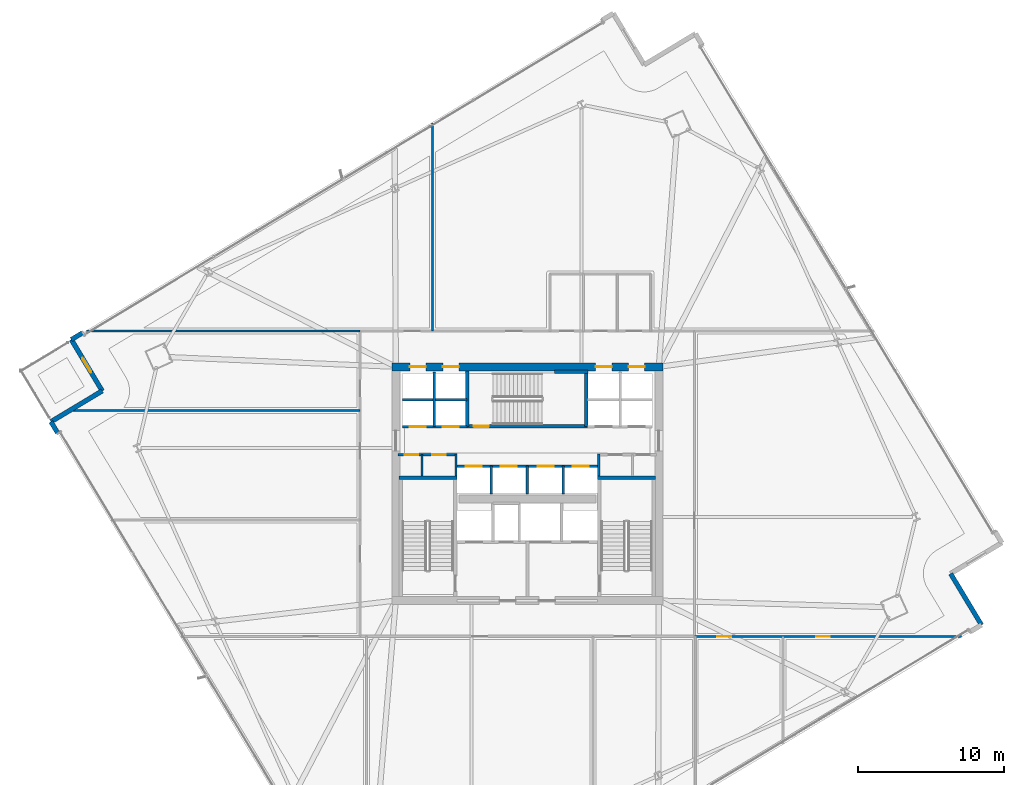
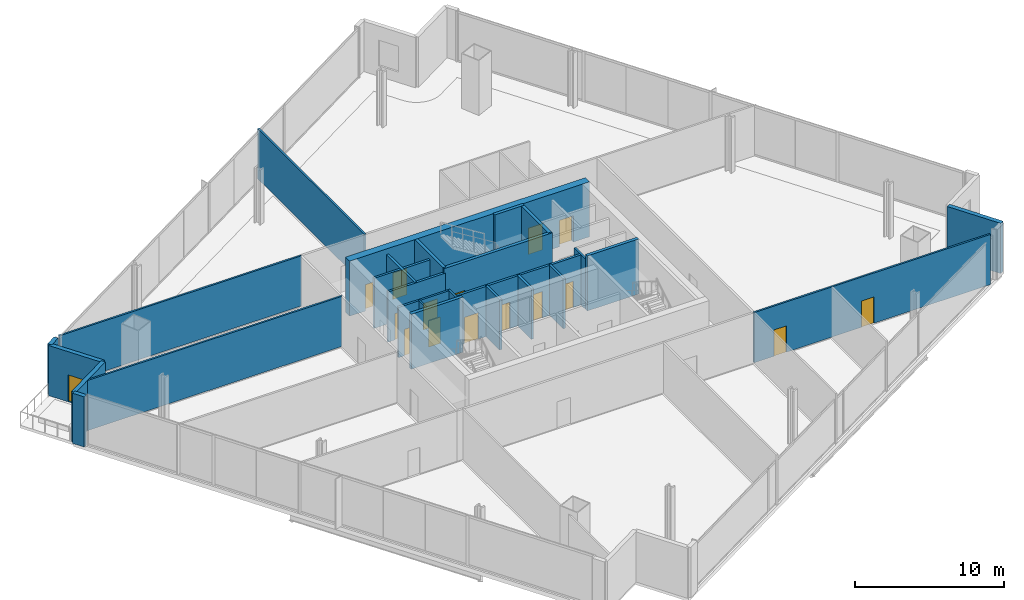
# One storey, part 24 of 30: 27 walls, 16 doors, 16 openings.
"""IFC4 building model written with IfcOpenShell, lengths in metres."""

import ifcopenshell
import ifcopenshell.guid

model = None  # the IFC model being written
_history = None  # IfcOwnerHistory: only IFC2X3 demands one
_inside = {}  # id of a spatial element -> (the spatial element, [elements in it])
_under = {}  # id of a project, library or spatial element -> (it, [spatial elements below it])
_declared = {}  # id of a project -> (the project, [libraries it declares])
_typed = {}  # id of a type object -> (the type object, [elements of that type])
_made_of = {}  # id of a material, layer set ... -> (it, [elements and type objects made of it])


def new_model(schema):
    """Start an empty IFC model of exactly this schema.

    Asked for "IFC4X3", IfcOpenShell would pick the latest addendum, in which some entities
    have other attributes; the version numbers below select the first issue.
    IFC2X3 requires an IfcOwnerHistory on every rooted entity: one is made here for all.
    """
    global model, _history
    if schema == "IFC4X3":
        model = ifcopenshell.file(schema_version=(4, 3, 0, 0))
    else:
        model = ifcopenshell.file(schema=schema)
    _inside.clear()
    _under.clear()
    _declared.clear()
    _typed.clear()
    _made_of.clear()
    _history = None
    if model.schema == "IFC2X3":
        org = make("IfcOrganization", Name="unknown")
        user = make(
            "IfcPersonAndOrganization",
            ThePerson=make("IfcPerson", FamilyName="unknown"),
            TheOrganization=org,
        )
        app = make(
            "IfcApplication",
            ApplicationDeveloper=org,
            Version="unknown",
            ApplicationFullName="unknown",
            ApplicationIdentifier="unknown",
        )
        _history = make(
            "IfcOwnerHistory",
            OwningUser=user,
            OwningApplication=app,
            ChangeAction="ADDED",
            CreationDate=0,
        )
    return model


def make(cls, **values):
    """One entity of the class cls with the attributes given. An attribute that is None is left unset."""
    return model.create_entity(
        cls, **{name: value for name, value in values.items() if value is not None}
    )


def rooted(cls, **values):
    """An entity with a GlobalId (a new one), such as an element, a storey or a relation."""
    return make(cls, GlobalId=ifcopenshell.guid.new(), OwnerHistory=_history, **values)


def si_unit(unit_type, name, prefix=None):
    """IfcSIUnit, for example si_unit("LENGTHUNIT", "METRE", prefix="MILLI")."""
    return make("IfcSIUnit", UnitType=unit_type, Prefix=prefix, Name=name)


def assignment(units):
    """IfcUnitAssignment: the units of a project."""
    return None if units is None else make("IfcUnitAssignment", Units=units)


def point(xyz):
    """IfcCartesianPoint."""
    return None if xyz is None else make("IfcCartesianPoint", Coordinates=xyz)


def direction(xyz):
    """IfcDirection."""
    return None if xyz is None else make("IfcDirection", DirectionRatios=xyz)


def frame(location, z_axis=None, x_axis=None):
    """IfcAxis2Placement3D, a coordinate frame: its origin and axes. An axis left out is left unset."""
    return make(
        "IfcAxis2Placement3D",
        Location=point(location),
        Axis=direction(z_axis),
        RefDirection=direction(x_axis),
    )


def frame_2d(location, x_axis=None):
    """IfcAxis2Placement2D, a coordinate frame in the plane: its origin and x axis."""
    return make(
        "IfcAxis2Placement2D", Location=point(location), RefDirection=direction(x_axis)
    )


def origin():
    """The frame at (0, 0, 0) with its axes left unset."""
    return frame((0.0, 0.0, 0.0))


def place(relative_to, where):
    """IfcLocalPlacement: puts the frame where relative to a parent placement (None: the world)."""
    return make(
        "IfcLocalPlacement", PlacementRelTo=relative_to, RelativePlacement=where
    )


def context(
    kind, dimensions, precision=None, world=None, true_north=None, identifier=None
):
    """IfcGeometricRepresentationContext, for example the 3D "Model" context."""
    return make(
        "IfcGeometricRepresentationContext",
        ContextIdentifier=identifier,
        ContextType=kind,
        CoordinateSpaceDimension=dimensions,
        Precision=precision,
        WorldCoordinateSystem=world,
        TrueNorth=true_north,
    )


def subcontext(parent, identifier, kind, view, scale=None):
    """IfcGeometricRepresentationSubContext, for example "Body" below "Model"."""
    return make(
        "IfcGeometricRepresentationSubContext",
        ContextIdentifier=identifier,
        ContextType=kind,
        ParentContext=parent,
        TargetScale=scale,
        TargetView=view,
    )


def project(units=None, contexts=None):
    """IfcProject with its units and contexts."""
    return rooted(
        "IfcProject",
        Name="project",
        RepresentationContexts=contexts,
        UnitsInContext=assignment(units),
    )


def spatial(cls, under=None, at=None, **own):
    """A site, building, storey or space (cls), placed at a placement, below another one or the project."""
    s = rooted(cls, ObjectPlacement=at, **own)
    if under is not None:
        _under.setdefault(under.id(), (under, []))[1].append(s)
    return s


def profile(cls, at=None, kind="AREA", **sizes):
    """A parametric profile (cls). Its sizes go by their IFC names, for example OverallWidth=200.0."""
    return make(cls, ProfileType=kind, Position=at, **sizes)


def rectangle(**sizes):
    """IfcRectangleProfileDef."""
    return profile("IfcRectangleProfileDef", **sizes)


def extrude(swept, where, along, depth):
    """IfcExtrudedAreaSolid: the profile swept, set in the frame where, extruded along a direction by depth."""
    return make(
        "IfcExtrudedAreaSolid",
        SweptArea=swept,
        Position=where,
        ExtrudedDirection=direction(along),
        Depth=depth,
    )


def shape(context_of_items, identifier, shape_type, items):
    """IfcShapeRepresentation: the items that make up one representation, for example the "Body"."""
    return make(
        "IfcShapeRepresentation",
        ContextOfItems=context_of_items,
        RepresentationIdentifier=identifier,
        RepresentationType=shape_type,
        Items=items,
    )


def material(Name=None, Category=None):
    """IfcMaterial."""
    return make("IfcMaterial", Name=Name, Category=Category)


def layer(
    of_material, thickness, ventilated=None, Name=None, Category=None, Priority=None
):
    """IfcMaterialLayer: one layer of a wall or slab, of a material (None: an air gap)."""
    return make(
        "IfcMaterialLayer",
        Material=of_material,
        LayerThickness=thickness,
        IsVentilated=ventilated,
        Name=Name,
        Category=Category,
        Priority=Priority,
    )


def layer_set(layers, Name=None):
    """IfcMaterialLayerSet."""
    return make("IfcMaterialLayerSet", MaterialLayers=layers, LayerSetName=Name)


def made_of(thing, what):
    """Note that an element or type object is made of a material, layer set ...; save() writes the relation."""
    if what is not None:
        _made_of.setdefault(what.id(), (what, []))[1].append(thing)
    return thing


def type_object(cls, material=None, **own):
    """A type object (cls), such as IfcWallType, which elements share."""
    return made_of(rooted(cls, **own), material)


def element(
    cls,
    number,
    at=None,
    inside=None,
    cuts=None,
    type_object=None,
    material=None,
    context=None,
    identifier="Body",
    shape_type=None,
    held_by="IfcProductDefinitionShape",
    body=None,
    shapes=None,
    **own,
):
    """One element of the class cls, such as IfcWall. Its Tag is "e" and its number.

    at: its placement. inside: the storey or other place that contains it. cuts: it is an
    opening in that element (IfcRelVoidsElement). A single representation is given by context,
    identifier, shape_type and body (its items); several are given by shapes. held_by: the class
    of the entity that holds the representations. save() writes the other relations.
    """
    e = rooted(cls, Tag="e%d" % number, ObjectPlacement=at, **own)
    if body is not None:
        shapes = [shape(context, identifier, shape_type, body)]
    if shapes is not None:
        e.Representation = make(held_by, Representations=shapes)
    if inside is not None:
        _inside.setdefault(inside.id(), (inside, []))[1].append(e)
    if cuts is not None:
        rooted(
            "IfcRelVoidsElement", RelatingBuildingElement=cuts, RelatedOpeningElement=e
        )
    if type_object is not None:
        _typed.setdefault(type_object.id(), (type_object, []))[1].append(e)
    return made_of(e, material)


def fill(opening, filler):
    """IfcRelFillsElement: the door or window that sits in an opening."""
    return rooted(
        "IfcRelFillsElement",
        RelatingOpeningElement=opening,
        RelatedBuildingElement=filler,
    )


def aggregate(whole, parts):
    """IfcRelAggregates: a whole, such as a stair, and the parts it consists of."""
    return rooted("IfcRelAggregates", RelatingObject=whole, RelatedObjects=parts)


def save(model, path):
    """Write the relations noted so far, then the file.

    IfcRelAggregates (storeys below a building ...), IfcRelContainedInSpatialStructure (elements
    in a storey), IfcRelDefinesByType, IfcRelAssociatesMaterial and IfcRelDeclares: one each for
    every whole, place, type object, material and project.
    """
    for whole, parts in _under.values():
        aggregate(whole, parts)
    for where, things in _inside.values():
        rooted(
            "IfcRelContainedInSpatialStructure",
            RelatedElements=things,
            RelatingStructure=where,
        )
    for kind, things in _typed.values():
        rooted("IfcRelDefinesByType", RelatedObjects=things, RelatingType=kind)
    for what, things in _made_of.values():
        rooted("IfcRelAssociatesMaterial", RelatedObjects=things, RelatingMaterial=what)
    for by, libraries in _declared.values():
        rooted("IfcRelDeclares", RelatingContext=by, RelatedDefinitions=libraries)
    model.write(path)


model = new_model("IFC4")

# Units and contexts
model_context = context("Model", 3, precision=1e-05, world=origin(), true_north=direction((0.0, 1.0)))
body_context = subcontext(model_context, "Body", "Model", "MODEL_VIEW")
ifc_project = project(units=[si_unit("LENGTHUNIT", "METRE"), si_unit("AREAUNIT", "SQUARE_METRE"), si_unit("VOLUMEUNIT", "CUBIC_METRE"), si_unit("PLANEANGLEUNIT", "RADIAN"), si_unit("MASSUNIT", "GRAM", prefix="KILO")], contexts=[model_context])

# Site, building, storey
site_placement = place(None, origin())
site = spatial("IfcSite", under=ifc_project, at=site_placement, CompositionType="ELEMENT")
building_placement = place(site_placement, origin())
building = spatial("IfcBuilding", under=site, at=building_placement, Name="Haldenkirk Collegiate Tower", CompositionType="ELEMENT")
storey_placement = place(building_placement, frame((0.0, 0.0, 131.699951171875)))
storey = spatial("IfcBuildingStorey", under=building, at=storey_placement, Name="L32", CompositionType="ELEMENT", Elevation=131.699951171875)

# Wall, openings, doors
ifc_material_1 = material(Name="Concrete f'c 70 MPa", Category="concrete")
ifc_layer_1 = layer(ifc_material_1, 0.550048828125)
ifc_layer_set_1 = layer_set([ifc_layer_1], Name="Concrete f'c 70 MPa")
wall_type_1 = type_object("IfcWallType", Name="WL-CORE-550", PredefinedType="SHEAR", material=ifc_layer_set_1)
wall_1_placement = place(storey_placement, frame((26.72509765625, 34.0, 0.0), z_axis=(0.0, 0.0, 1.0), x_axis=(1.0, 0.0, 0.0)))
wall_1 = element("IfcWall", 1, at=wall_1_placement, inside=storey, type_object=wall_type_1, Name="L32 central core shear wall N", PredefinedType="SHEAR", context=body_context, shape_type="SweptSolid", body=[
    extrude(rectangle(XDim=18.5498046875, YDim=0.550048828125, at=frame_2d((9.27490234375, 0.0))), origin(), (0.0, 0.0, 1.0), 4.5),
])
opening_1_placement = place(wall_1_placement, frame((1.239990234375, 0.0, 0.0)))
opening_1 = element("IfcOpeningElement", 2, at=opening_1_placement, cuts=wall_1, Name="Opening LD-11", PredefinedType="OPENING", context=body_context, shape_type="SweptSolid", body=[
    extrude(rectangle(XDim=1.10009765625, YDim=2.14990234375, at=frame_2d((0.550048828125, 1.074951171875))), frame((0.0, 0.284912109375, 0.0), z_axis=(0.0, -1.0, 0.0), x_axis=(1.0, 0.0, 0.0)), (0.0, 0.0, 1.0), 0.570068359375),
])
opening_2_placement = place(wall_1_placement, frame((3.489990234375, 0.0, 0.0)))
opening_2 = element("IfcOpeningElement", 3, at=opening_2_placement, cuts=wall_1, Name="Opening LD-11", PredefinedType="OPENING", context=body_context, shape_type="SweptSolid", body=[
    extrude(rectangle(XDim=1.10009765625, YDim=2.14990234375, at=frame_2d((0.550048828125, 1.074951171875))), frame((0.0, 0.284912109375, 0.0), z_axis=(0.0, -1.0, 0.0), x_axis=(1.0, 0.0, 0.0)), (0.0, 0.0, 1.0), 0.570068359375),
])
opening_3_placement = place(wall_1_placement, frame((13.9599609375, 0.0, 0.0)))
opening_3 = element("IfcOpeningElement", 4, at=opening_3_placement, cuts=wall_1, Name="Opening LD-11", PredefinedType="OPENING", context=body_context, shape_type="SweptSolid", body=[
    extrude(rectangle(XDim=1.10009765625, YDim=2.14990234375, at=frame_2d((0.550048828125, 1.074951171875))), frame((0.0, 0.284912109375, 0.0), z_axis=(0.0, -1.0, 0.0), x_axis=(1.0, 0.0, 0.0)), (0.0, 0.0, 1.0), 0.570068359375),
])
opening_4_placement = place(wall_1_placement, frame((16.2099609375, 0.0, 0.0)))
opening_4 = element("IfcOpeningElement", 5, at=opening_4_placement, cuts=wall_1, Name="Opening LD-11", PredefinedType="OPENING", context=body_context, shape_type="SweptSolid", body=[
    extrude(rectangle(XDim=1.10009765625, YDim=2.14990234375, at=frame_2d((0.550048828125, 1.074951171875))), frame((0.0, 0.284912109375, 0.0), z_axis=(0.0, -1.0, 0.0), x_axis=(1.0, 0.0, 0.0)), (0.0, 0.0, 1.0), 0.570068359375),
])
ifc_material_2 = material(Name="Brushed architectural stainless steel", Category="steel")
ifc_layer_2 = layer(ifc_material_2, 0.06005859375)
ifc_layer_set_2 = layer_set([ifc_layer_2], Name="Brushed architectural stainless steel")
door_type_1 = type_object("IfcDoorType", Name="LD-PASS-1100", OperationType="NOTDEFINED", PredefinedType="DOOR", material=ifc_layer_set_2)
door_1_placement = place(opening_1_placement, origin())
door_1 = element("IfcDoor", 6, at=door_1_placement, inside=storey, type_object=door_type_1, Name="L32 Elevator PL3 sliding landing door", OperationType="SLIDING_TO_LEFT", OverallHeight=2.14990234375, OverallWidth=1.10009765625, PredefinedType="DOOR", context=body_context, shape_type="SweptSolid", body=[
    extrude(rectangle(XDim=1.10009765625, YDim=2.14990234375, at=frame_2d((0.550048828125, 1.074951171875))), frame((0.0, 0.02490234375, 0.0), z_axis=(0.0, -1.0, 0.0), x_axis=(1.0, 0.0, 0.0)), (0.0, 0.0, 1.0), 0.050048828125),
])
fill(opening_1, door_1)
door_2_placement = place(opening_2_placement, origin())
door_2 = element("IfcDoor", 7, at=door_2_placement, inside=storey, type_object=door_type_1, Name="L32 Elevator PL4 sliding landing door", OperationType="SLIDING_TO_LEFT", OverallHeight=2.14990234375, OverallWidth=1.10009765625, PredefinedType="DOOR", context=body_context, shape_type="SweptSolid", body=[
    extrude(rectangle(XDim=1.10009765625, YDim=2.14990234375, at=frame_2d((0.550048828125, 1.074951171875))), frame((0.0, 0.02490234375, 0.0), z_axis=(0.0, -1.0, 0.0), x_axis=(1.0, 0.0, 0.0)), (0.0, 0.0, 1.0), 0.050048828125),
])
fill(opening_2, door_2)
door_3_placement = place(opening_3_placement, origin())
door_3 = element("IfcDoor", 8, at=door_3_placement, inside=storey, type_object=door_type_1, Name="L32 Elevator PM3 sliding landing door", OperationType="SLIDING_TO_LEFT", OverallHeight=2.14990234375, OverallWidth=1.10009765625, PredefinedType="DOOR", context=body_context, shape_type="SweptSolid", body=[
    extrude(rectangle(XDim=1.10009765625, YDim=2.14990234375, at=frame_2d((0.550048828125, 1.074951171875))), frame((0.0, 0.02490234375, 0.0), z_axis=(0.0, -1.0, 0.0), x_axis=(1.0, 0.0, 0.0)), (0.0, 0.0, 1.0), 0.050048828125),
])
fill(opening_3, door_3)
door_4_placement = place(opening_4_placement, origin())
door_4 = element("IfcDoor", 9, at=door_4_placement, inside=storey, type_object=door_type_1, Name="L32 Elevator PM4 sliding landing door", OperationType="SLIDING_TO_LEFT", OverallHeight=2.14990234375, OverallWidth=1.10009765625, PredefinedType="DOOR", context=body_context, shape_type="SweptSolid", body=[
    extrude(rectangle(XDim=1.10009765625, YDim=2.14990234375, at=frame_2d((0.550048828125, 1.074951171875))), frame((0.0, 0.02490234375, 0.0), z_axis=(0.0, -1.0, 0.0), x_axis=(1.0, 0.0, 0.0)), (0.0, 0.0, 1.0), 0.050048828125),
])
fill(opening_4, door_4)

# Walls
ifc_material_3 = material(Name="Precast concrete f'c 40 MPa", Category="concrete")
ifc_layer_3 = layer(ifc_material_3, 0.320068359375)
ifc_layer_set_3 = layer_set([ifc_layer_3], Name="Precast concrete f'c 40 MPa")
wall_type_2 = type_object("IfcWallType", Name="WL-EXT-TWR-320", PredefinedType="STANDARD", material=ifc_layer_set_3)
wall_2_placement = place(storey_placement, frame((64.979736328125, 19.839599609375, 0.0), z_axis=(0.0, 0.0, 1.0), x_axis=(0.515799949359, -0.856709059274, 0.0)))
element("IfcWall", 10, at=wall_2_placement, inside=storey, type_object=wall_type_2, Name="L32 bronze precast notch wall 02", PredefinedType="STANDARD", context=body_context, shape_type="SweptSolid", body=[
    extrude(rectangle(XDim=4.099853515625, YDim=0.320068359375, at=frame_2d((2.0498046875, 0.0))), origin(), (0.0, 0.0, 1.0), 4.10009765625),
])
wall_3_placement = place(storey_placement, frame((4.78955078125, 35.86572265625, 0.0), z_axis=(0.0, 0.0, 1.0), x_axis=(0.856749961863, 0.515732006809, 0.0)))
element("IfcWall", 11, at=wall_3_placement, inside=storey, type_object=wall_type_2, Name="L32 precast corner pier NL", PredefinedType="STANDARD", context=body_context, shape_type="SweptSolid", body=[
    extrude(rectangle(XDim=0.89990234375, YDim=0.320068359375, at=frame_2d((0.449951171875, 0.0))), origin(), (0.0, 0.0, 1.0), 4.10009765625),
])

# Wall, opening, door
wall_4_placement = place(storey_placement, frame((6.904296875, 32.35302734375, 0.0), z_axis=(0.0, 0.0, 1.0), x_axis=(-0.515773637009, 0.856724900634, 0.0)))
wall_4 = element("IfcWall", 12, at=wall_4_placement, inside=storey, type_object=wall_type_2, Name="L32 bronze precast notch wall 08", PredefinedType="STANDARD", context=body_context, shape_type="SweptSolid", body=[
    extrude(rectangle(XDim=4.10009765625, YDim=0.320068359375, at=frame_2d((2.050048828125, 0.0))), origin(), (0.0, 0.0, 1.0), 4.10009765625),
])
opening_5_placement = place(wall_4_placement, frame((1.47509765625, 0.0, 0.0)))
opening_5 = element("IfcOpeningElement", 13, at=opening_5_placement, cuts=wall_4, Name="Opening D-ST11", PredefinedType="OPENING", context=body_context, shape_type="SweptSolid", body=[
    extrude(rectangle(XDim=1.14990234375, YDim=2.199951171875, at=frame_2d((0.574951171875, 1.10009765625))), frame((0.0, 0.169921875, 0.0), z_axis=(0.0, -1.0, 0.0), x_axis=(1.0, 0.0, 0.0)), (0.0, 0.0, 1.0), 0.340087890625),
])
ifc_material_4 = material(Name="Anodised architectural bronze aluminium", Category="aluminium")
ifc_layer_4 = layer(ifc_material_4, 0.080078125)
ifc_layer_set_4 = layer_set([ifc_layer_4], Name="Anodised architectural bronze aluminium")
door_type_2 = type_object("IfcDoorType", Name="DR-EXT-STER-1150", OperationType="NOTDEFINED", PredefinedType="DOOR", material=ifc_layer_set_4)
door_5_placement = place(opening_5_placement, origin())
door_5 = element("IfcDoor", 14, at=door_5_placement, inside=storey, type_object=door_type_2, Name="L32 spiralling terrace door", OperationType="SINGLE_SWING_LEFT", OverallHeight=2.199951171875, OverallWidth=1.14990234375, PredefinedType="DOOR", context=body_context, shape_type="SweptSolid", body=[
    extrude(rectangle(XDim=1.14990234375, YDim=2.199951171875, at=frame_2d((0.574951171875, 1.10009765625))), frame((0.0, 0.02490234375, 0.0), z_axis=(0.0, -1.0, 0.0), x_axis=(1.0, 0.0, 0.0)), (0.0, 0.0, 1.0), 0.050048828125),
])
fill(opening_5, door_5)

# Walls
wall_5_placement = place(storey_placement, frame((3.3916015625, 30.23828125, 0.0), z_axis=(0.0, 0.0, 1.0), x_axis=(0.856724900634, 0.515773637009, 0.0)))
element("IfcWall", 15, at=wall_5_placement, inside=storey, type_object=wall_type_2, Name="L32 bronze precast notch wall 09", PredefinedType="STANDARD", context=body_context, shape_type="SweptSolid", body=[
    extrude(rectangle(XDim=4.10009765625, YDim=0.320068359375, at=frame_2d((2.050048828125, 0.0))), origin(), (0.0, 0.0, 1.0), 4.10009765625),
])
wall_6_placement = place(storey_placement, frame((3.85595703125, 29.46728515625, 0.0), z_axis=(0.0, 0.0, 1.0), x_axis=(-0.51593110119, 0.856630082839, 0.0)))
element("IfcWall", 16, at=wall_6_placement, inside=storey, type_object=wall_type_2, Name="L32 precast corner pier WR", PredefinedType="STANDARD", context=body_context, shape_type="SweptSolid", body=[
    extrude(rectangle(XDim=0.900146484375, YDim=0.320068359375, at=frame_2d((0.4501953125, 0.0))), origin(), (0.0, 0.0, 1.0), 4.10009765625),
])

# Wall, openings, doors
ifc_material_5 = material(Name="Acoustic fire-rated gypsum partition", Category="concrete")
ifc_layer_5 = layer(ifc_material_5, 0.159912109375)
ifc_layer_set_5 = layer_set([ifc_layer_5], Name="Acoustic fire-rated gypsum partition")
wall_type_3 = type_object("IfcWallType", Name="WL-INT-CORR-160", PredefinedType="PARTITIONING", material=ifc_layer_set_5)
wall_7_placement = place(storey_placement, frame((27.14990234375, 27.97998046875, 0.0), z_axis=(0.0, 0.0, 1.0), x_axis=(1.0, 0.0, 0.0)))
wall_7 = element("IfcWall", 17, at=wall_7_placement, inside=storey, type_object=wall_type_3, Name="L32 interior partition IW-L32-VCSW-N", PredefinedType="PARTITIONING", context=body_context, shape_type="SweptSolid", body=[
    extrude(rectangle(XDim=4.050048828125, YDim=0.159912109375, at=frame_2d((2.02490234375, 0.0))), origin(), (0.0, 0.0, 1.0), 4.10009765625),
])
opening_6_placement = place(wall_7_placement, frame((0.469970703125, 0.0, 0.0)))
opening_6 = element("IfcOpeningElement", 18, at=opening_6_placement, cuts=wall_7, Name="Opening D-11", PredefinedType="OPENING", context=body_context, shape_type="SweptSolid", body=[
    extrude(rectangle(XDim=0.89990234375, YDim=2.14990234375, at=frame_2d((0.449951171875, 1.074951171875))), frame((0.0, 0.08984375, 0.0), z_axis=(0.0, -1.0, 0.0), x_axis=(1.0, 0.0, 0.0)), (0.0, 0.0, 1.0), 0.179931640625),
])
opening_7_placement = place(wall_7_placement, frame((2.360107421875, 0.0, 0.0)))
opening_7 = element("IfcOpeningElement", 19, at=opening_7_placement, cuts=wall_7, Name="Opening D-11", PredefinedType="OPENING", context=body_context, shape_type="SweptSolid", body=[
    extrude(rectangle(XDim=0.89990234375, YDim=2.14990234375, at=frame_2d((0.449951171875, 1.074951171875))), frame((0.0, 0.08984375, 0.0), z_axis=(0.0, -1.0, 0.0), x_axis=(1.0, 0.0, 0.0)), (0.0, 0.0, 1.0), 0.179931640625),
])
ifc_material_6 = material(Name="Solid-core architectural oak fire door", Category="wood")
ifc_layer_6 = layer(ifc_material_6, 0.06005859375)
ifc_layer_set_6 = layer_set([ifc_layer_6], Name="Solid-core architectural oak fire door")
door_type_3 = type_object("IfcDoorType", Name="DR-INT-FD60-900", OperationType="NOTDEFINED", PredefinedType="DOOR", material=ifc_layer_set_6)
door_6_placement = place(opening_6_placement, origin())
door_6 = element("IfcDoor", 20, at=door_6_placement, inside=storey, type_object=door_type_3, Name="L32 core AV closet door", OperationType="SINGLE_SWING_RIGHT", OverallHeight=2.14990234375, OverallWidth=0.89990234375, PredefinedType="DOOR", context=body_context, shape_type="SweptSolid", body=[
    extrude(rectangle(XDim=0.89990234375, YDim=2.14990234375, at=frame_2d((0.449951171875, 1.074951171875))), frame((0.0, 0.02490234375, 0.0), z_axis=(0.0, -1.0, 0.0), x_axis=(1.0, 0.0, 0.0)), (0.0, 0.0, 1.0), 0.050048828125),
])
fill(opening_6, door_6)
door_7_placement = place(opening_7_placement, origin())
door_7 = element("IfcDoor", 21, at=door_7_placement, inside=storey, type_object=door_type_3, Name="L32 core supply closet door", OperationType="SINGLE_SWING_LEFT", OverallHeight=2.14990234375, OverallWidth=0.89990234375, PredefinedType="DOOR", context=body_context, shape_type="SweptSolid", body=[
    extrude(rectangle(XDim=0.89990234375, YDim=2.14990234375, at=frame_2d((0.449951171875, 1.074951171875))), frame((0.0, 0.02490234375, 0.0), z_axis=(0.0, -1.0, 0.0), x_axis=(1.0, 0.0, 0.0)), (0.0, 0.0, 1.0), 0.050048828125),
])
fill(opening_7, door_7)

# Walls
for number, where, z_axis, x_axis, name in (
    (22, (31.1201171875, 26.5400390625, 0.0), (0.0, 0.0, 1.0), (0.0, 1.0, 0.0), "L32 interior partition IW-L32-VCSW-E"),
    (23, (40.8798828125, 26.5400390625, 0.0), (0.0, 0.0, 1.0), (0.0, 1.0, 0.0), "L32 interior partition IW-L32-VCSE-W"),
):
    element("IfcWall", number, at=place(storey_placement, frame(where, z_axis=z_axis, x_axis=x_axis)), inside=storey, type_object=wall_type_3, Name=name, PredefinedType="PARTITIONING", context=body_context, shape_type="SweptSolid", body=[
        extrude(rectangle(XDim=1.510009765625, YDim=0.159912109375, at=frame_2d((0.7548828125, 0.0))), origin(), (0.0, 0.0, 1.0), 4.10009765625),
    ])
ifc_layer_7 = layer(ifc_material_5, 0.139892578125)
ifc_layer_set_7 = layer_set([ifc_layer_7], Name="Acoustic fire-rated gypsum partition")
wall_type_4 = type_object("IfcWallType", Name="WL-INT-DIV-140", PredefinedType="PARTITIONING", material=ifc_layer_set_7)
wall_8_placement = place(storey_placement, frame((5.837646484375, 36.449951171875, 0.0), z_axis=(0.0, 0.0, 1.0), x_axis=(1.0, 0.0, 0.0)))
element("IfcWall", 24, at=wall_8_placement, inside=storey, type_object=wall_type_4, Name="L32 interior partition IW-L32-BWN", PredefinedType="PARTITIONING", context=body_context, shape_type="SweptSolid", body=[
    extrude(rectangle(XDim=18.71240234375, YDim=0.139892578125, at=frame_2d((9.356201171875, 0.0))), origin(), (0.0, 0.0, 1.0), 4.10009765625),
])

# Wall, openings, doors
wall_9_placement = place(storey_placement, frame((47.449951171875, 15.550048828125, 0.0), z_axis=(0.0, 0.0, 1.0), x_axis=(1.0, 0.0, 0.0)))
wall_9 = element("IfcWall", 25, at=wall_9_placement, inside=storey, type_object=wall_type_4, Name="L32 interior partition IW-L32-BES", PredefinedType="PARTITIONING", context=body_context, shape_type="SweptSolid", body=[
    extrude(rectangle(XDim=18.276123046875, YDim=0.139892578125, at=frame_2d((9.13818359375, 0.0))), origin(), (0.0, 0.0, 1.0), 4.10009765625),
])
opening_8_placement = place(wall_9_placement, frame((1.5439453125, 0.0, 0.0)))
opening_8 = element("IfcOpeningElement", 26, at=opening_8_placement, cuts=wall_9, Name="Opening D-12", PredefinedType="OPENING", context=body_context, shape_type="SweptSolid", body=[
    extrude(rectangle(XDim=0.949951171875, YDim=2.14990234375, at=frame_2d((0.47509765625, 1.074951171875))), frame((0.0, 0.079833984375, 0.0), z_axis=(0.0, -1.0, 0.0), x_axis=(1.0, 0.0, 0.0)), (0.0, 0.0, 1.0), 0.159912109375),
])
opening_9_placement = place(wall_9_placement, frame((8.31591796875, 0.0, 0.0)))
opening_9 = element("IfcOpeningElement", 27, at=opening_9_placement, cuts=wall_9, Name="Opening D-12", PredefinedType="OPENING", context=body_context, shape_type="SweptSolid", body=[
    extrude(rectangle(XDim=0.949951171875, YDim=2.14990234375, at=frame_2d((0.47509765625, 1.074951171875))), frame((0.0, 0.079833984375, 0.0), z_axis=(0.0, -1.0, 0.0), x_axis=(1.0, 0.0, 0.0)), (0.0, 0.0, 1.0), 0.159912109375),
])
ifc_layer_8 = layer(ifc_material_6, 0.06005859375)
ifc_layer_set_8 = layer_set([ifc_layer_8], Name="Solid-core architectural oak fire door")
door_type_4 = type_object("IfcDoorType", Name="DR-INT-STD-950", OperationType="NOTDEFINED", PredefinedType="DOOR", material=ifc_layer_set_8)
door_8_placement = place(opening_8_placement, origin())
door_8 = element("IfcDoor", 28, at=door_8_placement, inside=storey, type_object=door_type_4, Name="L32 Graduate Seminar Room 4 door", OperationType="SINGLE_SWING_RIGHT", OverallHeight=2.14990234375, OverallWidth=0.949951171875, PredefinedType="DOOR", context=body_context, shape_type="SweptSolid", body=[
    extrude(rectangle(XDim=0.949951171875, YDim=2.14990234375, at=frame_2d((0.47509765625, 1.074951171875))), frame((0.0, 0.02490234375, 0.0), z_axis=(0.0, -1.0, 0.0), x_axis=(1.0, 0.0, 0.0)), (0.0, 0.0, 1.0), 0.050048828125),
])
fill(opening_8, door_8)
door_9_placement = place(opening_9_placement, origin())
door_9 = element("IfcDoor", 29, at=door_9_placement, inside=storey, type_object=door_type_4, Name="L32 Colloquium Conference Room 5 door", OperationType="SINGLE_SWING_LEFT", OverallHeight=2.14990234375, OverallWidth=0.949951171875, PredefinedType="DOOR", context=body_context, shape_type="SweptSolid", body=[
    extrude(rectangle(XDim=0.949951171875, YDim=2.14990234375, at=frame_2d((0.47509765625, 1.074951171875))), frame((0.0, 0.02490234375, 0.0), z_axis=(0.0, -1.0, 0.0), x_axis=(1.0, 0.0, 0.0)), (0.0, 0.0, 1.0), 0.050048828125),
])
fill(opening_9, door_9)

# Walls
wall_10_placement = place(storey_placement, frame((29.5, 36.449951171875, 0.0), z_axis=(0.0, 0.0, 1.0), x_axis=(0.0, 1.0, 0.0)))
element("IfcWall", 30, at=wall_10_placement, inside=storey, type_object=wall_type_4, Name="L32 interior partition IW-L32-RN1", PredefinedType="PARTITIONING", context=body_context, shape_type="SweptSolid", body=[
    extrude(rectangle(XDim=14.245849609375, YDim=0.139892578125, at=frame_2d((7.123046875, 0.0))), origin(), (0.0, 0.0, 1.0), 4.10009765625),
])
wall_11_placement = place(storey_placement, frame((4.734375, 31.0, 0.0), z_axis=(0.0, 0.0, 1.0), x_axis=(1.0, 0.0, 0.0)))
element("IfcWall", 31, at=wall_11_placement, inside=storey, type_object=wall_type_4, Name="L32 interior partition IW-L32-RW2", PredefinedType="PARTITIONING", context=body_context, shape_type="SweptSolid", body=[
    extrude(rectangle(XDim=19.815673828125, YDim=0.139892578125, at=frame_2d((9.90771484375, 0.0))), origin(), (0.0, 0.0, 1.0), 4.10009765625),
])

# Wall, openings, doors
ifc_material_7 = material(Name="Fire-rated gypsum shaftboard assembly", Category="concrete")
ifc_layer_9 = layer(ifc_material_7, 0.179931640625)
ifc_layer_set_9 = layer_set([ifc_layer_9], Name="Fire-rated gypsum shaftboard assembly")
wall_type_5 = type_object("IfcWallType", Name="WL-INT-SHAFT-180", PredefinedType="PARTITIONING", material=ifc_layer_set_9)
wall_12_placement = place(storey_placement, frame((27.449951171875, 29.89990234375, 0.0), z_axis=(0.0, 0.0, 1.0), x_axis=(1.0, 0.0, 0.0)))
wall_12 = element("IfcWall", 32, at=wall_12_placement, inside=storey, type_object=wall_type_5, Name="L32 interior partition IW-L32-PLS", PredefinedType="PARTITIONING", context=body_context, shape_type="SweptSolid", body=[
    extrude(rectangle(XDim=4.429931640625, YDim=0.179931640625, at=frame_2d((2.21484375, 0.0))), origin(), (0.0, 0.0, 1.0), 4.10009765625),
])
opening_10_placement = place(wall_12_placement, frame((0.514892578125, 0.0, 0.0)))
opening_10 = element("IfcOpeningElement", 33, at=opening_10_placement, cuts=wall_12, Name="Opening LD-11", PredefinedType="OPENING", context=body_context, shape_type="SweptSolid", body=[
    extrude(rectangle(XDim=1.10009765625, YDim=2.14990234375, at=frame_2d((0.550048828125, 1.074951171875))), frame((0.0, 0.099853515625, 0.0), z_axis=(0.0, -1.0, 0.0), x_axis=(1.0, 0.0, 0.0)), (0.0, 0.0, 1.0), 0.199951171875),
])
opening_11_placement = place(wall_12_placement, frame((2.764892578125, 0.0, 0.0)))
opening_11 = element("IfcOpeningElement", 34, at=opening_11_placement, cuts=wall_12, Name="Opening LD-11", PredefinedType="OPENING", context=body_context, shape_type="SweptSolid", body=[
    extrude(rectangle(XDim=1.10009765625, YDim=2.14990234375, at=frame_2d((0.550048828125, 1.074951171875))), frame((0.0, 0.099853515625, 0.0), z_axis=(0.0, -1.0, 0.0), x_axis=(1.0, 0.0, 0.0)), (0.0, 0.0, 1.0), 0.199951171875),
])
door_10_placement = place(opening_10_placement, origin())
door_10 = element("IfcDoor", 35, at=door_10_placement, inside=storey, type_object=door_type_1, Name="L32 Elevator PL1 sliding landing door", OperationType="SLIDING_TO_LEFT", OverallHeight=2.14990234375, OverallWidth=1.10009765625, PredefinedType="DOOR", context=body_context, shape_type="SweptSolid", body=[
    extrude(rectangle(XDim=1.10009765625, YDim=2.14990234375, at=frame_2d((0.550048828125, 1.074951171875))), frame((0.0, 0.02490234375, 0.0), z_axis=(0.0, -1.0, 0.0), x_axis=(1.0, 0.0, 0.0)), (0.0, 0.0, 1.0), 0.050048828125),
])
fill(opening_10, door_10)
door_11_placement = place(opening_11_placement, origin())
door_11 = element("IfcDoor", 36, at=door_11_placement, inside=storey, type_object=door_type_1, Name="L32 Elevator PL2 sliding landing door", OperationType="SLIDING_TO_LEFT", OverallHeight=2.14990234375, OverallWidth=1.10009765625, PredefinedType="DOOR", context=body_context, shape_type="SweptSolid", body=[
    extrude(rectangle(XDim=1.10009765625, YDim=2.14990234375, at=frame_2d((0.550048828125, 1.074951171875))), frame((0.0, 0.02490234375, 0.0), z_axis=(0.0, -1.0, 0.0), x_axis=(1.0, 0.0, 0.0)), (0.0, 0.0, 1.0), 0.050048828125),
])
fill(opening_11, door_11)

# Walls
wall_13_placement = place(storey_placement, frame((27.449951171875, 31.75, 0.0), z_axis=(0.0, 0.0, 1.0), x_axis=(1.0, 0.0, 0.0)))
element("IfcWall", 37, at=wall_13_placement, inside=storey, type_object=wall_type_5, Name="L32 interior partition IW-L32-PLM", PredefinedType="PARTITIONING", context=body_context, shape_type="SweptSolid", body=[
    extrude(rectangle(XDim=4.429931640625, YDim=0.179931640625, at=frame_2d((2.21484375, 0.0))), origin(), (0.0, 0.0, 1.0), 4.10009765625),
])
wall_14_placement = place(storey_placement, frame((29.6298828125, 29.89990234375, 0.0), z_axis=(0.0, 0.0, 1.0), x_axis=(0.0, 1.0, 0.0)))
element("IfcWall", 38, at=wall_14_placement, inside=storey, type_object=wall_type_5, Name="L32 interior partition IW-L32-PLV", PredefinedType="PARTITIONING", context=body_context, shape_type="SweptSolid", body=[
    extrude(rectangle(XDim=3.75, YDim=0.179931640625, at=frame_2d((1.875, 0.0))), origin(), (0.0, 0.0, 1.0), 4.10009765625),
])

# Wall, openings, doors
wall_15_placement = place(storey_placement, frame((31.199951171875, 27.199951171875, 0.0), z_axis=(0.0, 0.0, 1.0), x_axis=(1.0, 0.0, 0.0)))
wall_15 = element("IfcWall", 39, at=wall_15_placement, inside=storey, type_object=wall_type_5, Name="L32 interior partition IW-L32-PHN", PredefinedType="PARTITIONING", context=body_context, shape_type="SweptSolid", body=[
    extrude(rectangle(XDim=9.60009765625, YDim=0.179931640625, at=frame_2d((4.800048828125, 0.0))), origin(), (0.0, 0.0, 1.0), 4.10009765625),
])
opening_12_placement = place(wall_15_placement, frame((0.590087890625, 0.0, 0.0)))
opening_12 = element("IfcOpeningElement", 40, at=opening_12_placement, cuts=wall_15, Name="Opening LD-11", PredefinedType="OPENING", context=body_context, shape_type="SweptSolid", body=[
    extrude(rectangle(XDim=1.10009765625, YDim=2.14990234375, at=frame_2d((0.550048828125, 1.074951171875))), frame((0.0, 0.099853515625, 0.0), z_axis=(0.0, -1.0, 0.0), x_axis=(1.0, 0.0, 0.0)), (0.0, 0.0, 1.0), 0.199951171875),
])
opening_13_placement = place(wall_15_placement, frame((2.989990234375, 0.0, 0.0)))
opening_13 = element("IfcOpeningElement", 41, at=opening_13_placement, cuts=wall_15, Name="Opening LD-11", PredefinedType="OPENING", context=body_context, shape_type="SweptSolid", body=[
    extrude(rectangle(XDim=1.10009765625, YDim=2.14990234375, at=frame_2d((0.550048828125, 1.074951171875))), frame((0.0, 0.099853515625, 0.0), z_axis=(0.0, -1.0, 0.0), x_axis=(1.0, 0.0, 0.0)), (0.0, 0.0, 1.0), 0.199951171875),
])
opening_14_placement = place(wall_15_placement, frame((5.510009765625, 0.0, 0.0)))
opening_14 = element("IfcOpeningElement", 42, at=opening_14_placement, cuts=wall_15, Name="Opening LD-11", PredefinedType="OPENING", context=body_context, shape_type="SweptSolid", body=[
    extrude(rectangle(XDim=1.10009765625, YDim=2.14990234375, at=frame_2d((0.550048828125, 1.074951171875))), frame((0.0, 0.099853515625, 0.0), z_axis=(0.0, -1.0, 0.0), x_axis=(1.0, 0.0, 0.0)), (0.0, 0.0, 1.0), 0.199951171875),
])
opening_15_placement = place(wall_15_placement, frame((7.909912109375, 0.0, 0.0)))
opening_15 = element("IfcOpeningElement", 43, at=opening_15_placement, cuts=wall_15, Name="Opening LD-11", PredefinedType="OPENING", context=body_context, shape_type="SweptSolid", body=[
    extrude(rectangle(XDim=1.10009765625, YDim=2.14990234375, at=frame_2d((0.550048828125, 1.074951171875))), frame((0.0, 0.099853515625, 0.0), z_axis=(0.0, -1.0, 0.0), x_axis=(1.0, 0.0, 0.0)), (0.0, 0.0, 1.0), 0.199951171875),
])
door_12_placement = place(opening_12_placement, origin())
door_12 = element("IfcDoor", 44, at=door_12_placement, inside=storey, type_object=door_type_1, Name="L32 Elevator PH1 sliding landing door", OperationType="SLIDING_TO_LEFT", OverallHeight=2.14990234375, OverallWidth=1.10009765625, PredefinedType="DOOR", context=body_context, shape_type="SweptSolid", body=[
    extrude(rectangle(XDim=1.10009765625, YDim=2.14990234375, at=frame_2d((0.550048828125, 1.074951171875))), frame((0.0, 0.02490234375, 0.0), z_axis=(0.0, -1.0, 0.0), x_axis=(1.0, 0.0, 0.0)), (0.0, 0.0, 1.0), 0.050048828125),
])
fill(opening_12, door_12)
door_13_placement = place(opening_13_placement, origin())
door_13 = element("IfcDoor", 45, at=door_13_placement, inside=storey, type_object=door_type_1, Name="L32 Elevator PH2 sliding landing door", OperationType="SLIDING_TO_LEFT", OverallHeight=2.14990234375, OverallWidth=1.10009765625, PredefinedType="DOOR", context=body_context, shape_type="SweptSolid", body=[
    extrude(rectangle(XDim=1.10009765625, YDim=2.14990234375, at=frame_2d((0.550048828125, 1.074951171875))), frame((0.0, 0.02490234375, 0.0), z_axis=(0.0, -1.0, 0.0), x_axis=(1.0, 0.0, 0.0)), (0.0, 0.0, 1.0), 0.050048828125),
])
fill(opening_13, door_13)
door_14_placement = place(opening_14_placement, origin())
door_14 = element("IfcDoor", 46, at=door_14_placement, inside=storey, type_object=door_type_1, Name="L32 Elevator PH3 sliding landing door", OperationType="SLIDING_TO_LEFT", OverallHeight=2.14990234375, OverallWidth=1.10009765625, PredefinedType="DOOR", context=body_context, shape_type="SweptSolid", body=[
    extrude(rectangle(XDim=1.10009765625, YDim=2.14990234375, at=frame_2d((0.550048828125, 1.074951171875))), frame((0.0, 0.02490234375, 0.0), z_axis=(0.0, -1.0, 0.0), x_axis=(1.0, 0.0, 0.0)), (0.0, 0.0, 1.0), 0.050048828125),
])
fill(opening_14, door_14)
door_15_placement = place(opening_15_placement, origin())
door_15 = element("IfcDoor", 47, at=door_15_placement, inside=storey, type_object=door_type_1, Name="L32 Elevator PH4 sliding landing door", OperationType="SLIDING_TO_LEFT", OverallHeight=2.14990234375, OverallWidth=1.10009765625, PredefinedType="DOOR", context=body_context, shape_type="SweptSolid", body=[
    extrude(rectangle(XDim=1.10009765625, YDim=2.14990234375, at=frame_2d((0.550048828125, 1.074951171875))), frame((0.0, 0.02490234375, 0.0), z_axis=(0.0, -1.0, 0.0), x_axis=(1.0, 0.0, 0.0)), (0.0, 0.0, 1.0), 0.050048828125),
])
fill(opening_15, door_15)

# Walls
for number, where, z_axis, x_axis, name in (
    (48, (33.5400390625, 25.300048828125, 0.0), (0.0, 0.0, 1.0), (0.0, 1.0, 0.0), "L32 interior partition IW-L32-PHV1"),
    (49, (36.0, 25.300048828125, 0.0), (0.0, 0.0, 1.0), (0.0, 1.0, 0.0), "L32 interior partition IW-L32-PHV2"),
    (50, (38.4599609375, 25.300048828125, 0.0), (0.0, 0.0, 1.0), (0.0, 1.0, 0.0), "L32 interior partition IW-L32-PHV3"),
):
    element("IfcWall", number, at=place(storey_placement, frame(where, z_axis=z_axis, x_axis=x_axis)), inside=storey, type_object=wall_type_5, Name=name, PredefinedType="PARTITIONING", context=body_context, shape_type="SweptSolid", body=[
        extrude(rectangle(XDim=1.89990234375, YDim=0.179931640625, at=frame_2d((0.949951171875, 0.0))), origin(), (0.0, 0.0, 1.0), 4.10009765625),
    ])
ifc_layer_10 = layer(ifc_material_5, 0.1201171875)
ifc_layer_set_10 = layer_set([ifc_layer_10], Name="Acoustic fire-rated gypsum partition")
wall_type_6 = type_object("IfcWallType", Name="WL-INT-WET-120", PredefinedType="PARTITIONING", material=ifc_layer_set_10)
wall_16_placement = place(storey_placement, frame((28.800048828125, 26.5400390625, 0.0), z_axis=(0.0, 0.0, 1.0), x_axis=(0.0, 1.0, 0.0)))
element("IfcWall", 51, at=wall_16_placement, inside=storey, type_object=wall_type_6, Name="L32 interior partition IW-L32-VCSW-M", PredefinedType="PARTITIONING", context=body_context, shape_type="SweptSolid", body=[
    extrude(rectangle(XDim=1.43994140625, YDim=0.1201171875, at=frame_2d((0.719970703125, 0.0))), origin(), (0.0, 0.0, 1.0), 4.10009765625),
])
ifc_material_8 = material(Name="Concrete f'c 55 MPa", Category="concrete")
ifc_layer_11 = layer(ifc_material_8, 0.239990234375)
ifc_layer_set_11 = layer_set([ifc_layer_11], Name="Concrete f'c 55 MPa")
wall_type_7 = type_object("IfcWallType", Name="WL-SHAFT-240", PredefinedType="SHEAR", material=ifc_layer_set_11)
for number, where, z_axis, x_axis, name in (
    (52, (27.2099609375, 26.419921875, 0.0), (0.0, 0.0, 1.0), (1.0, 0.0, 0.0), "L32 stair shaft shear wall SW-L32-ST1N"),
    (53, (40.81005859375, 26.419921875, 0.0), (0.0, 0.0, 1.0), (1.0, 0.0, 0.0), "L32 stair shaft shear wall SW-L32-ST2N"),
):
    element("IfcWall", number, at=place(storey_placement, frame(where, z_axis=z_axis, x_axis=x_axis)), inside=storey, type_object=wall_type_7, Name=name, PredefinedType="SHEAR", context=body_context, shape_type="SweptSolid", body=[
        extrude(rectangle(XDim=3.97998046875, YDim=0.239990234375, at=frame_2d((1.989990234375, 0.0))), origin(), (0.0, 0.0, 1.0), 4.5),
    ])

# Wall, opening, door
wall_17_placement = place(storey_placement, frame((31.760009765625, 29.929931640625, 0.0), z_axis=(0.0, 0.0, 1.0), x_axis=(1.0, 0.0, 0.0)))
wall_17 = element("IfcWall", 54, at=wall_17_placement, inside=storey, type_object=wall_type_7, Name="L32 stair shaft shear wall SW-L32-ST3S", PredefinedType="SHEAR", context=body_context, shape_type="SweptSolid", body=[
    extrude(rectangle(XDim=8.3798828125, YDim=0.239990234375, at=frame_2d((4.18994140625, 0.0))), origin(), (0.0, 0.0, 1.0), 4.5),
])
opening_16_placement = place(wall_17_placement, frame((0.56494140625, 0.0, 0.0)))
opening_16 = element("IfcOpeningElement", 55, at=opening_16_placement, cuts=wall_17, Name="Opening D-01", PredefinedType="OPENING", context=body_context, shape_type="SweptSolid", body=[
    extrude(rectangle(XDim=1.050048828125, YDim=2.14990234375, at=frame_2d((0.52490234375, 1.074951171875))), frame((0.0, 0.1298828125, 0.0), z_axis=(0.0, -1.0, 0.0), x_axis=(1.0, 0.0, 0.0)), (0.0, 0.0, 1.0), 0.260009765625),
])
ifc_material_9 = material(Name="Galvanized fire-rated hollow steel door", Category="steel")
ifc_layer_12 = layer(ifc_material_9, 0.06005859375)
ifc_layer_set_12 = layer_set([ifc_layer_12], Name="Galvanized fire-rated hollow steel door")
door_type_5 = type_object("IfcDoorType", Name="DR-STAIR-FD90-1050", OperationType="NOTDEFINED", PredefinedType="DOOR", material=ifc_layer_set_12)
door_16_placement = place(opening_16_placement, origin())
door_16 = element("IfcDoor", 56, at=door_16_placement, inside=storey, type_object=door_type_5, Name="L32 lift lobby Stair 3 door", OperationType="SINGLE_SWING_RIGHT", OverallHeight=2.14990234375, OverallWidth=1.050048828125, PredefinedType="DOOR", context=body_context, shape_type="SweptSolid", body=[
    extrude(rectangle(XDim=1.050048828125, YDim=2.14990234375, at=frame_2d((0.52490234375, 1.074951171875))), frame((0.0, 0.02490234375, 0.0), z_axis=(0.0, -1.0, 0.0), x_axis=(1.0, 0.0, 0.0)), (0.0, 0.0, 1.0), 0.050048828125),
])
fill(opening_16, door_16)

# Walls
wall_18_placement = place(storey_placement, frame((31.8798828125, 29.929931640625, 0.0), z_axis=(0.0, 0.0, 1.0), x_axis=(0.0, 1.0, 0.0)))
element("IfcWall", 57, at=wall_18_placement, inside=storey, type_object=wall_type_7, Name="L32 stair shaft shear wall SW-L32-ST3W", PredefinedType="SHEAR", context=body_context, shape_type="SweptSolid", body=[
    extrude(rectangle(XDim=3.7900390625, YDim=0.239990234375, at=frame_2d((1.89501953125, 0.0))), origin(), (0.0, 0.0, 1.0), 4.5),
])
wall_19_placement = place(storey_placement, frame((40.02001953125, 29.929931640625, 0.0), z_axis=(0.0, 0.0, 1.0), x_axis=(0.0, 1.0, 0.0)))
element("IfcWall", 58, at=wall_19_placement, inside=storey, type_object=wall_type_7, Name="L32 stair shaft shear wall SW-L32-ST3E", PredefinedType="SHEAR", context=body_context, shape_type="SweptSolid", body=[
    extrude(rectangle(XDim=3.85009765625, YDim=0.239990234375, at=frame_2d((1.925048828125, 0.0))), origin(), (0.0, 0.0, 1.0), 4.5),
])
wall_20_placement = place(storey_placement, frame((37.85009765625, 33.659912109375, 0.0), z_axis=(0.0, 0.0, 1.0), x_axis=(1.0, 0.0, 0.0)))
element("IfcWall", 59, at=wall_20_placement, inside=storey, type_object=wall_type_7, Name="L32 stair shaft shear wall SW-L32-ST3N", PredefinedType="SHEAR", context=body_context, shape_type="SweptSolid", body=[
    extrude(rectangle(XDim=2.289794921875, YDim=0.239990234375, at=frame_2d((1.14501953125, 0.0))), origin(), (0.0, 0.0, 1.0), 4.5),
])

save(model, "model.ifc")
